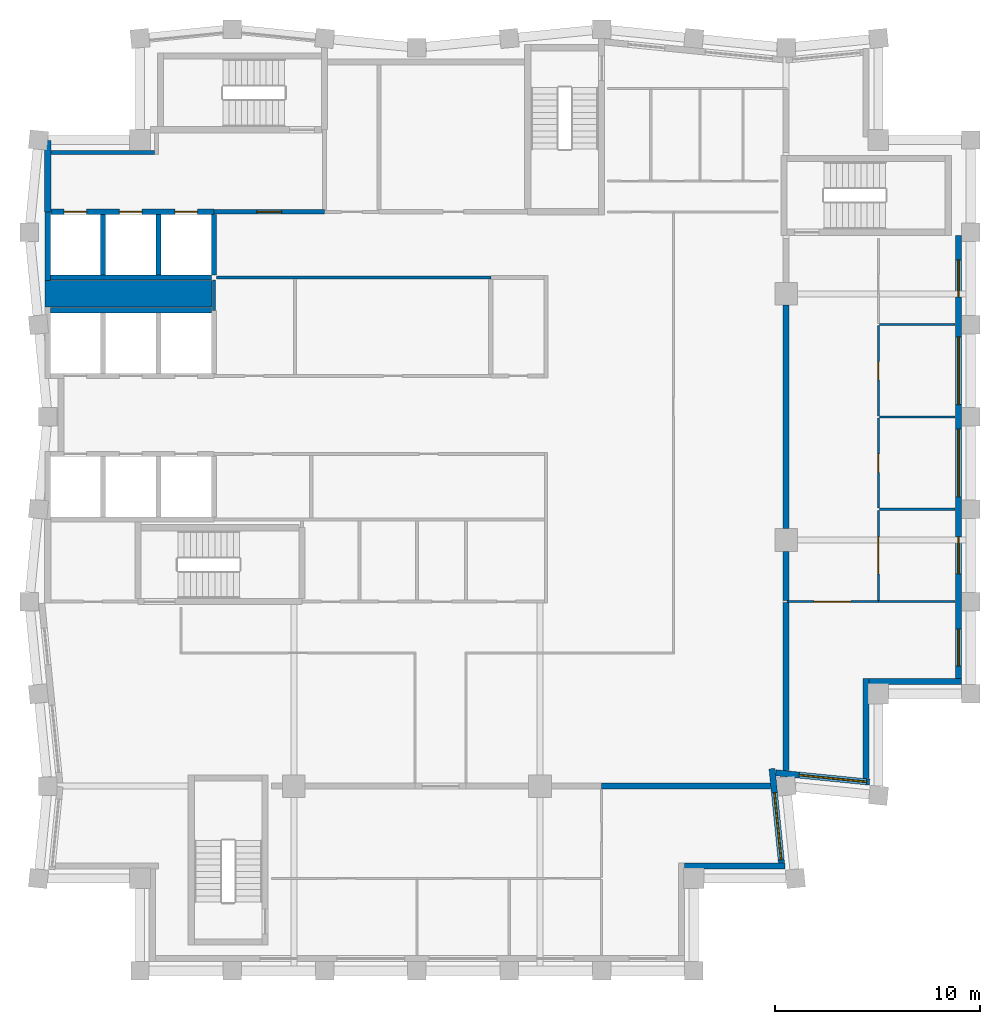
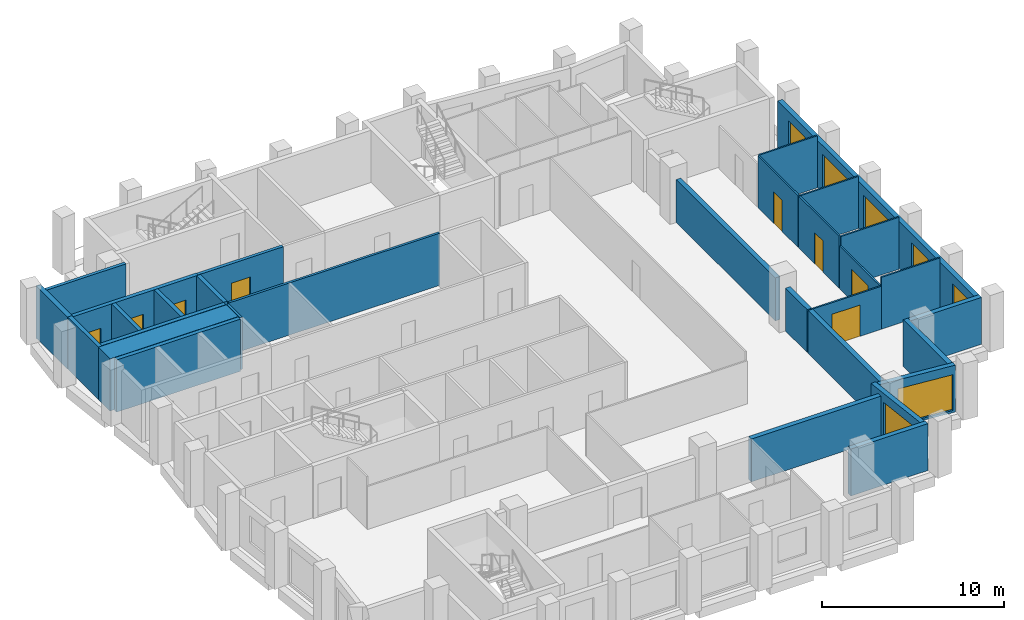
# One storey, part 4 of 7: 31 walls, 8 doors, 7 windows, 15 openings.
"""IFC4 building model written with IfcOpenShell, lengths in metres."""

from ifc_helpers import new_model, si_unit, direction, frame, frame_2d, origin, place, context, subcontext, project, spatial, rectangle, extrude, material, layer, layer_set, type_object, element, fill, save


model = new_model("IFC4")

# Units and contexts
model_context = context("Model", 3, precision=1e-05, world=origin(), true_north=direction((0.0, 1.0)))
body_context = subcontext(model_context, "Body", "Model", "MODEL_VIEW")
ifc_project = project(units=[si_unit("LENGTHUNIT", "METRE"), si_unit("AREAUNIT", "SQUARE_METRE"), si_unit("VOLUMEUNIT", "CUBIC_METRE"), si_unit("PLANEANGLEUNIT", "RADIAN"), si_unit("MASSUNIT", "GRAM", prefix="KILO")], contexts=[model_context])

# Site, building, storey
site_placement = place(None, origin())
site = spatial("IfcSite", under=ifc_project, at=site_placement, CompositionType="ELEMENT")
building_placement = place(site_placement, origin())
building = spatial("IfcBuilding", under=site, at=building_placement, Name="Brondeck Convention Tower", CompositionType="ELEMENT")
storey_placement = place(building_placement, frame((0.0, 0.0, 256.199951171875)))
storey = spatial("IfcBuildingStorey", under=building, at=storey_placement, Name="L63", CompositionType="ELEMENT", Elevation=256.199951171875)

# Walls
ifc_material_1 = material(Name="Concrete compartment wall C30/37", Category="concrete")
ifc_layer_1 = layer(ifc_material_1, 0.300048828125)
ifc_layer_set_1 = layer_set([ifc_layer_1], Name="Compartment wall 300")
wall_type_1 = type_object("IfcWallType", Name="Compartment wall 300", PredefinedType="PARTITIONING", material=ifc_layer_set_1)
wall_1_placement = place(storey_placement, frame((27.0, 27.0, 0.0), z_axis=(0.0, 0.0, 1.0), x_axis=(1.0, 0.0, 0.0)))
element("IfcWall", 1, at=wall_1_placement, inside=storey, type_object=wall_type_1, Name="FLR-L63-W018", PredefinedType="PARTITIONING", context=body_context, shape_type="SweptSolid", body=[
    extrude(rectangle(XDim=8.226318359375, YDim=0.300048828125, at=frame_2d((4.11328125, 0.0))), origin(), (0.0, 0.0, 1.0), 2.880126953125),
])
wall_2_placement = place(storey_placement, frame((36.0, 27.773681640625, 0.0), z_axis=(0.0, 0.0, 1.0), x_axis=(0.0, 1.0, 0.0)))
element("IfcWall", 2, at=wall_2_placement, inside=storey, type_object=wall_type_1, Name="FLR-L63-W021", PredefinedType="PARTITIONING", context=body_context, shape_type="SweptSolid", body=[
    extrude(rectangle(XDim=8.17626953125, YDim=0.300048828125, at=frame_2d((4.088134765625, 0.0))), origin(), (0.0, 0.0, 1.0), 2.880126953125),
])
wall_3_placement = place(storey_placement, frame((36.0, 36.050048828125, 0.0), z_axis=(0.0, 0.0, 1.0), x_axis=(0.0, 1.0, 0.0)))
element("IfcWall", 3, at=wall_3_placement, inside=storey, type_object=wall_type_1, Name="FLR-L63-W029", PredefinedType="PARTITIONING", context=body_context, shape_type="SweptSolid", body=[
    extrude(rectangle(XDim=2.39501953125, YDim=0.300048828125, at=frame_2d((1.197509765625, 0.0))), origin(), (0.0, 0.0, 1.0), 2.880126953125),
])
wall_4_placement = place(storey_placement, frame((36.0, 39.554931640625, 0.0), z_axis=(0.0, 0.0, 1.0), x_axis=(0.0, 1.0, 0.0)))
element("IfcWall", 4, at=wall_4_placement, inside=storey, type_object=wall_type_1, Name="FLR-L63-W030", PredefinedType="PARTITIONING", context=body_context, shape_type="SweptSolid", body=[
    extrude(rectangle(XDim=10.89013671875, YDim=0.300048828125, at=frame_2d((5.445068359375, 0.0))), origin(), (0.0, 0.0, 1.0), 2.880126953125),
])
ifc_material_2 = material(Name="Concrete C50/60", Category="concrete")
ifc_layer_2 = layer(ifc_material_2, 0.300048828125)
ifc_layer_set_2 = layer_set([ifc_layer_2], Name="Core outer wall 300 Concrete C50/60")
wall_type_2 = type_object("IfcWallType", Name="Core outer wall 300 Concrete C50/60", PredefinedType="SHEAR", material=ifc_layer_set_2)
wall_5_placement = place(storey_placement, frame((0.0, 55.0, 0.0), z_axis=(0.0, 0.0, 1.0), x_axis=(0.0, 1.0, 0.0)))
element("IfcWall", 5, at=wall_5_placement, inside=storey, type_object=wall_type_2, Name="L63 core wall", PredefinedType="SHEAR", context=body_context, shape_type="SweptSolid", body=[
    extrude(rectangle(XDim=3.4775390625, YDim=0.300048828125, at=frame_2d((1.73876953125, 0.0))), origin(), (0.0, 0.0, 1.0), 3.5),
])
ifc_material_3 = material(Name="Fire-rated gypsum board partition")
ifc_layer_3 = layer(ifc_material_3, 0.14990234375)
ifc_layer_set_3 = layer_set([ifc_layer_3], Name="Core partition 150 EI 60")
wall_type_3 = type_object("IfcWallType", Name="Core partition 150 EI 60", PredefinedType="PARTITIONING", material=ifc_layer_set_3)
wall_6_placement = place(storey_placement, frame((8.22509765625, 51.800048828125, 0.0), z_axis=(0.0, 0.0, 1.0), x_axis=(1.0, 0.0, 0.0)))
element("IfcWall", 6, at=wall_6_placement, inside=storey, type_object=wall_type_3, Name="L63 core wall", PredefinedType="PARTITIONING", context=body_context, shape_type="SweptSolid", body=[
    extrude(rectangle(XDim=13.375, YDim=0.14990234375, at=frame_2d((6.6875, 0.0))), origin(), (0.0, 0.0, 1.0), 3.5),
])
wall_7_placement = place(storey_placement, frame((8.10009765625, 50.199951171875, 0.0), z_axis=(0.0, 0.0, 1.0), x_axis=(0.0, 1.0, 0.0)))
element("IfcWall", 7, at=wall_7_placement, inside=storey, type_object=wall_type_3, Name="L63 core wall", PredefinedType="PARTITIONING", context=body_context, shape_type="SweptSolid", body=[
    extrude(rectangle(XDim=1.47509765625, YDim=0.14990234375, at=frame_2d((0.737548828125, 0.0))), origin(), (0.0, 0.0, 1.0), 3.5),
])
ifc_layer_4 = layer(ifc_material_2, 1.300048828125)
ifc_layer_set_4 = layer_set([ifc_layer_4], Name="Core shear wall 1300 Concrete C50/60")
wall_type_4 = type_object("IfcWallType", Name="Core shear wall 1300 Concrete C50/60", PredefinedType="SHEAR", material=ifc_layer_set_4)
wall_8_placement = place(storey_placement, frame((-0.125, 51.0, 0.0), z_axis=(0.0, 0.0, 1.0), x_axis=(1.0, 0.0, 0.0)))
element("IfcWall", 8, at=wall_8_placement, inside=storey, type_object=wall_type_4, Name="L63 core wall", PredefinedType="SHEAR", context=body_context, shape_type="SweptSolid", body=[
    extrude(rectangle(XDim=8.125, YDim=1.300048828125, at=frame_2d((4.0625, 0.0))), origin(), (0.0, 0.0, 1.0), 3.5),
])
ifc_material_4 = material(Name="Precast concrete C50/60 bronze finish", Category="concrete")
ifc_layer_5 = layer(ifc_material_4, 0.070068359375, Name="Bronze precast facing")
ifc_material_5 = material(Name="Mineral wool")
ifc_layer_6 = layer(ifc_material_5, 0.159912109375, Name="Insulation")
ifc_material_6 = material(Name="Concrete C35/45", Category="concrete")
ifc_layer_7 = layer(ifc_material_6, 0.070068359375, Name="Backing")
ifc_layer_set_5 = layer_set([ifc_layer_5, ifc_layer_6, ifc_layer_7], Name="External infill wall, precast concrete C50/60 bronze facing")
wall_type_5 = type_object("IfcWallType", Name="External infill wall, precast concrete C50/60 bronze facing", PredefinedType="SOLIDWALL", material=ifc_layer_set_5)
wall_9_placement = place(storey_placement, frame((35.952880859375, 23.10009765625, 0.0), z_axis=(0.0, 0.0, 1.0), x_axis=(-1.0, 0.0, 0.0)))
element("IfcWall", 9, at=wall_9_placement, inside=storey, type_object=wall_type_5, Name="ENV-EW-L63-P3-NC-SEB18-02", PredefinedType="SOLIDWALL", context=body_context, shape_type="SweptSolid", body=[
    extrude(rectangle(XDim=4.90283203125, YDim=0.300048828125, at=frame_2d((2.451416015625, 0.0))), origin(), (0.0, 0.0, 1.0), 3.150146484375),
])

# Wall, opening, window
wall_10_placement = place(storey_placement, frame((35.311767578125, 27.852294921875, 0.0), z_axis=(0.0, 0.0, 1.0), x_axis=(0.099503719021, -0.99503719021, 0.0)))
wall_10 = element("IfcWall", 10, at=wall_10_placement, inside=storey, type_object=wall_type_5, Name="ENV-EW-L63-P3-B-E-00", PredefinedType="SOLIDWALL", context=body_context, shape_type="SweptSolid", body=[
    extrude(rectangle(XDim=4.6201171875, YDim=0.300048828125, at=frame_2d((2.31005859375, 0.0))), origin(), (0.0, 0.0, 1.0), 3.150146484375),
])
opening_1_placement = place(wall_10_placement, frame((1.170166015625, 0.0, 0.14990234375)))
opening_1 = element("IfcOpeningElement", 11, at=opening_1_placement, cuts=wall_10, Name="Opening W9", PredefinedType="OPENING", context=body_context, shape_type="SweptSolid", body=[
    extrude(rectangle(XDim=3.300048828125, YDim=2.39990234375, at=frame_2d((1.64990234375, 1.199951171875))), frame((0.0, 0.159912109375, 0.0), z_axis=(0.0, -1.0, 0.0), x_axis=(1.0, 0.0, 0.0)), (0.0, 0.0, 1.0), 0.320068359375),
])
ifc_material_7 = material(Name="Bronze tinted double glazing", Category="glass")
window_type_1 = type_object("IfcWindowType", Name="Glazed flute window, bronze tinted", PartitioningType="SINGLE_PANEL", PredefinedType="WINDOW", material=ifc_material_7)
window_1_placement = place(opening_1_placement, origin())
window_1 = element("IfcWindow", 12, at=window_1_placement, inside=storey, type_object=window_type_1, Name="ENV-WN-L63-P3-B-E-00", OverallHeight=2.39990234375, OverallWidth=3.300048828125, PartitioningType="SINGLE_PANEL", PredefinedType="WINDOW", context=body_context, shape_type="SweptSolid", body=[
    extrude(rectangle(XDim=3.300048828125, YDim=2.39990234375, at=frame_2d((1.64990234375, 1.199951171875))), frame((0.0, 0.030029296875, 0.0), z_axis=(0.0, -1.0, 0.0), x_axis=(1.0, 0.0, 0.0)), (0.0, 0.0, 1.0), 0.06005859375),
])
fill(opening_1, window_1)

wall_11_placement = place(storey_placement, frame((40.06494140625, 27.196533203125, 0.0), z_axis=(0.0, 0.0, 1.0), x_axis=(-0.995036663613, 0.099508984853, 0.0)))
wall_11 = element("IfcWall", 13, at=wall_11_placement, inside=storey, type_object=wall_type_5, Name="ENV-EW-L63-P3-A-S-00", PredefinedType="SOLIDWALL", context=body_context, shape_type="SweptSolid", body=[
    extrude(rectangle(XDim=4.59033203125, YDim=0.300048828125, at=frame_2d((2.295166015625, 0.0))), origin(), (0.0, 0.0, 1.0), 3.150146484375),
])
opening_2_placement = place(wall_11_placement, frame((0.14990234375, 0.0, 0.14990234375)))
opening_2 = element("IfcOpeningElement", 14, at=opening_2_placement, cuts=wall_11, Name="Opening W9", PredefinedType="OPENING", context=body_context, shape_type="SweptSolid", body=[
    extrude(rectangle(XDim=3.300048828125, YDim=2.39990234375, at=frame_2d((1.64990234375, 1.199951171875))), frame((0.0, 0.159912109375, 0.0), z_axis=(0.0, -1.0, 0.0), x_axis=(1.0, 0.0, 0.0)), (0.0, 0.0, 1.0), 0.320068359375),
])
window_2_placement = place(opening_2_placement, origin())
window_2 = element("IfcWindow", 15, at=window_2_placement, inside=storey, type_object=window_type_1, Name="ENV-WN-L63-P3-A-S-00", OverallHeight=2.39990234375, OverallWidth=3.300048828125, PartitioningType="SINGLE_PANEL", PredefinedType="WINDOW", context=body_context, shape_type="SweptSolid", body=[
    extrude(rectangle(XDim=3.300048828125, YDim=2.39990234375, at=frame_2d((1.64990234375, 1.199951171875))), frame((0.0, 0.030029296875, 0.0), z_axis=(0.0, -1.0, 0.0), x_axis=(1.0, 0.0, 0.0)), (0.0, 0.0, 1.0), 0.06005859375),
])
fill(opening_2, window_2)

# Walls
wall_12_placement = place(storey_placement, frame((39.89990234375, 32.25, 0.0), z_axis=(0.0, 0.0, 1.0), x_axis=(0.0, -1.0, 0.0)))
element("IfcWall", 16, at=wall_12_placement, inside=storey, type_object=wall_type_5, Name="ENV-EW-L63-P3-NC-SEA45-01", PredefinedType="SOLIDWALL", context=body_context, shape_type="SweptSolid", body=[
    extrude(rectangle(XDim=4.881103515625, YDim=0.300048828125, at=frame_2d((2.4404296875, 0.0))), origin(), (0.0, 0.0, 1.0), 3.150146484375),
])
wall_13_placement = place(storey_placement, frame((44.550048828125, 32.10009765625, 0.0), z_axis=(0.0, 0.0, 1.0), x_axis=(-1.0, 0.0, 0.0)))
element("IfcWall", 17, at=wall_13_placement, inside=storey, type_object=wall_type_5, Name="ENV-EW-L63-P3-NC-SEA45-02", PredefinedType="SOLIDWALL", context=body_context, shape_type="SweptSolid", body=[
    extrude(rectangle(XDim=4.501953125, YDim=0.300048828125, at=frame_2d((2.2509765625, 0.0))), origin(), (0.0, 0.0, 1.0), 3.150146484375),
])

# Wall, openings, windows
wall_14_placement = place(storey_placement, frame((44.39990234375, 53.85009765625, 0.0), z_axis=(0.0, 0.0, 1.0), x_axis=(0.0, -1.0, 0.0)))
wall_14 = element("IfcWall", 18, at=wall_14_placement, inside=storey, type_object=wall_type_5, Name="ENV-EW-L63-P3-A-E45-01", PredefinedType="SOLIDWALL", context=body_context, shape_type="SweptSolid", body=[
    extrude(rectangle(XDim=21.60205078125, YDim=0.300048828125, at=frame_2d((10.801025390625, 0.0))), origin(), (0.0, 0.0, 1.0), 3.150146484375),
])
opening_3_placement = place(wall_14_placement, frame((1.199951171875, 0.0, 0.75)))
opening_3 = element("IfcOpeningElement", 19, at=opening_3_placement, cuts=wall_14, Name="Opening W10", PredefinedType="OPENING", context=body_context, shape_type="SweptSolid", body=[
    extrude(rectangle(XDim=1.800048828125, YDim=1.800048828125, at=frame_2d((0.89990234375, 0.89990234375))), frame((0.0, 0.159912109375, 0.0), z_axis=(0.0, -1.0, 0.0), x_axis=(1.0, 0.0, 0.0)), (0.0, 0.0, 1.0), 0.320068359375),
])
opening_4_placement = place(wall_14_placement, frame((4.949951171875, 0.0, 0.14990234375)))
opening_4 = element("IfcOpeningElement", 20, at=opening_4_placement, cuts=wall_14, Name="Opening W9", PredefinedType="OPENING", context=body_context, shape_type="SweptSolid", body=[
    extrude(rectangle(XDim=3.300048828125, YDim=2.39990234375, at=frame_2d((1.64990234375, 1.199951171875))), frame((0.0, 0.159912109375, 0.0), z_axis=(0.0, -1.0, 0.0), x_axis=(1.0, 0.0, 0.0)), (0.0, 0.0, 1.0), 0.320068359375),
])
opening_5_placement = place(wall_14_placement, frame((9.449951171875, 0.0, 0.14990234375)))
opening_5 = element("IfcOpeningElement", 21, at=opening_5_placement, cuts=wall_14, Name="Opening W9", PredefinedType="OPENING", context=body_context, shape_type="SweptSolid", body=[
    extrude(rectangle(XDim=3.300048828125, YDim=2.39990234375, at=frame_2d((1.64990234375, 1.199951171875))), frame((0.0, 0.159912109375, 0.0), z_axis=(0.0, -1.0, 0.0), x_axis=(1.0, 0.0, 0.0)), (0.0, 0.0, 1.0), 0.320068359375),
])
opening_6_placement = place(wall_14_placement, frame((14.699951171875, 0.0, 0.75)))
opening_6 = element("IfcOpeningElement", 22, at=opening_6_placement, cuts=wall_14, Name="Opening W10", PredefinedType="OPENING", context=body_context, shape_type="SweptSolid", body=[
    extrude(rectangle(XDim=1.800048828125, YDim=1.800048828125, at=frame_2d((0.89990234375, 0.89990234375))), frame((0.0, 0.159912109375, 0.0), z_axis=(0.0, -1.0, 0.0), x_axis=(1.0, 0.0, 0.0)), (0.0, 0.0, 1.0), 0.320068359375),
])
opening_7_placement = place(wall_14_placement, frame((19.199951171875, 0.0, 0.75)))
opening_7 = element("IfcOpeningElement", 23, at=opening_7_placement, cuts=wall_14, Name="Opening W10", PredefinedType="OPENING", context=body_context, shape_type="SweptSolid", body=[
    extrude(rectangle(XDim=1.800048828125, YDim=1.800048828125, at=frame_2d((0.89990234375, 0.89990234375))), frame((0.0, 0.159912109375, 0.0), z_axis=(0.0, -1.0, 0.0), x_axis=(1.0, 0.0, 0.0)), (0.0, 0.0, 1.0), 0.320068359375),
])
window_3_placement = place(opening_4_placement, origin())
window_3 = element("IfcWindow", 24, at=window_3_placement, inside=storey, type_object=window_type_1, Name="ENV-WN-L63-P3-A-E45-04", OverallHeight=2.39990234375, OverallWidth=3.300048828125, PartitioningType="SINGLE_PANEL", PredefinedType="WINDOW", context=body_context, shape_type="SweptSolid", body=[
    extrude(rectangle(XDim=3.300048828125, YDim=2.39990234375, at=frame_2d((1.64990234375, 1.199951171875))), frame((0.0, 0.030029296875, 0.0), z_axis=(0.0, -1.0, 0.0), x_axis=(1.0, 0.0, 0.0)), (0.0, 0.0, 1.0), 0.06005859375),
])
fill(opening_4, window_3)
window_4_placement = place(opening_5_placement, origin())
window_4 = element("IfcWindow", 25, at=window_4_placement, inside=storey, type_object=window_type_1, Name="ENV-WN-L63-P3-A-E45-03", OverallHeight=2.39990234375, OverallWidth=3.300048828125, PartitioningType="SINGLE_PANEL", PredefinedType="WINDOW", context=body_context, shape_type="SweptSolid", body=[
    extrude(rectangle(XDim=3.300048828125, YDim=2.39990234375, at=frame_2d((1.64990234375, 1.199951171875))), frame((0.0, 0.030029296875, 0.0), z_axis=(0.0, -1.0, 0.0), x_axis=(1.0, 0.0, 0.0)), (0.0, 0.0, 1.0), 0.06005859375),
])
fill(opening_5, window_4)
window_type_2 = type_object("IfcWindowType", Name="Punched window, bronze tinted", PartitioningType="SINGLE_PANEL", PredefinedType="WINDOW", material=ifc_material_7)
window_5_placement = place(opening_3_placement, origin())
window_5 = element("IfcWindow", 26, at=window_5_placement, inside=storey, type_object=window_type_2, Name="ENV-WN-L63-P3-A-E45-05", OverallHeight=1.800048828125, OverallWidth=1.800048828125, PartitioningType="SINGLE_PANEL", PredefinedType="WINDOW", context=body_context, shape_type="SweptSolid", body=[
    extrude(rectangle(XDim=1.800048828125, YDim=1.800048828125, at=frame_2d((0.89990234375, 0.89990234375))), frame((0.0, 0.030029296875, 0.0), z_axis=(0.0, -1.0, 0.0), x_axis=(1.0, 0.0, 0.0)), (0.0, 0.0, 1.0), 0.06005859375),
])
fill(opening_3, window_5)
window_6_placement = place(opening_6_placement, origin())
window_6 = element("IfcWindow", 27, at=window_6_placement, inside=storey, type_object=window_type_2, Name="ENV-WN-L63-P3-A-E45-02", OverallHeight=1.800048828125, OverallWidth=1.800048828125, PartitioningType="SINGLE_PANEL", PredefinedType="WINDOW", context=body_context, shape_type="SweptSolid", body=[
    extrude(rectangle(XDim=1.800048828125, YDim=1.800048828125, at=frame_2d((0.89990234375, 0.89990234375))), frame((0.0, 0.030029296875, 0.0), z_axis=(0.0, -1.0, 0.0), x_axis=(1.0, 0.0, 0.0)), (0.0, 0.0, 1.0), 0.06005859375),
])
fill(opening_6, window_6)
window_7_placement = place(opening_7_placement, origin())
window_7 = element("IfcWindow", 28, at=window_7_placement, inside=storey, type_object=window_type_2, Name="ENV-WN-L63-P3-A-E45-01", OverallHeight=1.800048828125, OverallWidth=1.800048828125, PartitioningType="SINGLE_PANEL", PredefinedType="WINDOW", context=body_context, shape_type="SweptSolid", body=[
    extrude(rectangle(XDim=1.800048828125, YDim=1.800048828125, at=frame_2d((0.89990234375, 0.89990234375))), frame((0.0, 0.030029296875, 0.0), z_axis=(0.0, -1.0, 0.0), x_axis=(1.0, 0.0, 0.0)), (0.0, 0.0, 1.0), 0.06005859375),
])
fill(opening_7, window_7)

# Wall, opening, door
ifc_layer_8 = layer(ifc_material_3, 0.199951171875)
ifc_layer_set_6 = layer_set([ifc_layer_8], Name="Firefighting lobby wall 200 EI 120")
wall_type_6 = type_object("IfcWallType", Name="Firefighting lobby wall 200 EI 120", PredefinedType="PARTITIONING", material=ifc_layer_set_6)
wall_15_placement = place(storey_placement, frame((8.10009765625, 55.0, 0.0), z_axis=(0.0, 0.0, 1.0), x_axis=(1.0, 0.0, 0.0)))
wall_15 = element("IfcWall", 29, at=wall_15_placement, inside=storey, type_object=wall_type_6, Name="L63 core wall", PredefinedType="PARTITIONING", context=body_context, shape_type="SweptSolid", body=[
    extrude(rectangle(XDim=5.39990234375, YDim=0.199951171875, at=frame_2d((2.699951171875, 0.0))), origin(), (0.0, 0.0, 1.0), 3.5),
])
opening_8_placement = place(wall_15_placement, frame((2.10009765625, 0.0, 0.0)))
opening_8 = element("IfcOpeningElement", 30, at=opening_8_placement, cuts=wall_15, Name="Opening C35-01", PredefinedType="OPENING", context=body_context, shape_type="SweptSolid", body=[
    extrude(rectangle(XDim=1.199951171875, YDim=2.199951171875, at=frame_2d((0.60009765625, 1.10009765625))), frame((0.0, 0.10986328125, 0.0), z_axis=(0.0, -1.0, 0.0), x_axis=(1.0, 0.0, 0.0)), (0.0, 0.0, 1.0), 0.219970703125),
])
ifc_material_8 = material(Name="Steel fire door", Category="steel")
door_type_1 = type_object("IfcDoorType", Name="Firefighting lobby door 1200x2200 EI 120", OperationType="NOTDEFINED", PredefinedType="DOOR", material=ifc_material_8)
door_1_placement = place(opening_8_placement, origin())
door_1 = element("IfcDoor", 31, at=door_1_placement, inside=storey, type_object=door_type_1, Name="L63 Firefighting lobby door FFL-1", OperationType="SINGLE_SWING_RIGHT", OverallHeight=2.199951171875, OverallWidth=1.199951171875, PredefinedType="DOOR", context=body_context, shape_type="SweptSolid", body=[
    extrude(rectangle(XDim=1.199951171875, YDim=2.199951171875, at=frame_2d((0.60009765625, 1.10009765625))), frame((0.0, 0.02490234375, 0.0), z_axis=(0.0, -1.0, 0.0), x_axis=(1.0, 0.0, 0.0)), (0.0, 0.0, 1.0), 0.050048828125),
])
fill(opening_8, door_1)

# Walls
wall_16_placement = place(storey_placement, frame((0.14990234375, 57.89990234375, 0.0), z_axis=(0.0, 0.0, 1.0), x_axis=(1.0, 0.0, 0.0)))
element("IfcWall", 32, at=wall_16_placement, inside=storey, type_object=wall_type_6, Name="L63 core wall", PredefinedType="PARTITIONING", context=body_context, shape_type="SweptSolid", body=[
    extrude(rectangle(XDim=5.050048828125, YDim=0.199951171875, at=frame_2d((2.52490234375, 0.0))), origin(), (0.0, 0.0, 1.0), 3.5),
])
ifc_layer_9 = layer(ifc_material_2, 0.25)
ifc_layer_set_7 = layer_set([ifc_layer_9], Name="Lift shaft wall 250 Concrete C50/60")
wall_type_7 = type_object("IfcWallType", Name="Lift shaft wall 250 Concrete C50/60", PredefinedType="SHEAR", material=ifc_layer_set_7)
for number, where, z_axis, x_axis, name in (
    (33, (0.125, 50.199951171875, 0.0), (0.0, 0.0, 1.0), (1.0, 0.0, 0.0), "L63 core wall"),
    (34, (0.125, 51.800048828125, 0.0), (0.0, 0.0, 1.0), (1.0, 0.0, 0.0), "L63 core wall"),
):
    element("IfcWall", number, at=place(storey_placement, frame(where, z_axis=z_axis, x_axis=x_axis)), inside=storey, type_object=wall_type_7, Name=name, PredefinedType="SHEAR", context=body_context, shape_type="SweptSolid", body=[
        extrude(rectangle(XDim=7.85009765625, YDim=0.25, at=frame_2d((3.925048828125, 0.0))), origin(), (0.0, 0.0, 1.0), 3.5),
    ])

# Wall, openings, doors
wall_17_placement = place(storey_placement, frame((0.14990234375, 55.0, 0.0), z_axis=(0.0, 0.0, 1.0), x_axis=(1.0, 0.0, 0.0)))
wall_17 = element("IfcWall", 35, at=wall_17_placement, inside=storey, type_object=wall_type_7, Name="L63 core wall", PredefinedType="SHEAR", context=body_context, shape_type="SweptSolid", body=[
    extrude(rectangle(XDim=7.9501953125, YDim=0.25, at=frame_2d((3.97509765625, 0.0))), origin(), (0.0, 0.0, 1.0), 3.5),
])
opening_9_placement = place(wall_17_placement, frame((0.64990234375, 0.0, 0.0)))
opening_9 = element("IfcOpeningElement", 36, at=opening_9_placement, cuts=wall_17, Name="Opening C35-19", PredefinedType="OPENING", context=body_context, shape_type="SweptSolid", body=[
    extrude(rectangle(XDim=1.10009765625, YDim=2.10009765625, at=frame_2d((0.550048828125, 1.050048828125))), frame((0.0, 0.135009765625, 0.0), z_axis=(0.0, -1.0, 0.0), x_axis=(1.0, 0.0, 0.0)), (0.0, 0.0, 1.0), 0.27001953125),
])
opening_10_placement = place(wall_17_placement, frame((3.35009765625, 0.0, 0.0)))
opening_10 = element("IfcOpeningElement", 37, at=opening_10_placement, cuts=wall_17, Name="Opening C35-20", PredefinedType="OPENING", context=body_context, shape_type="SweptSolid", body=[
    extrude(rectangle(XDim=1.10009765625, YDim=2.10009765625, at=frame_2d((0.550048828125, 1.050048828125))), frame((0.0, 0.135009765625, 0.0), z_axis=(0.0, -1.0, 0.0), x_axis=(1.0, 0.0, 0.0)), (0.0, 0.0, 1.0), 0.27001953125),
])
opening_11_placement = place(wall_17_placement, frame((6.050048828125, 0.0, 0.0)))
opening_11 = element("IfcOpeningElement", 38, at=opening_11_placement, cuts=wall_17, Name="Opening C35-21", PredefinedType="OPENING", context=body_context, shape_type="SweptSolid", body=[
    extrude(rectangle(XDim=1.10009765625, YDim=2.10009765625, at=frame_2d((0.550048828125, 1.050048828125))), frame((0.0, 0.135009765625, 0.0), z_axis=(0.0, -1.0, 0.0), x_axis=(1.0, 0.0, 0.0)), (0.0, 0.0, 1.0), 0.27001953125),
])
ifc_material_9 = material(Name="Stainless steel lift door", Category="steel")
door_type_2 = type_object("IfcDoorType", Name="Lift landing door 1100x2100 EI 180", OperationType="DOUBLE_DOOR_SLIDING", PredefinedType="DOOR", material=ifc_material_9)
door_2_placement = place(opening_9_placement, origin())
door_2 = element("IfcDoor", 39, at=door_2_placement, inside=storey, type_object=door_type_2, Name="L63 Lift landing door FF1", OperationType="DOUBLE_DOOR_SLIDING", OverallHeight=2.10009765625, OverallWidth=1.10009765625, PredefinedType="DOOR", context=body_context, shape_type="SweptSolid", body=[
    extrude(rectangle(XDim=1.10009765625, YDim=2.10009765625, at=frame_2d((0.550048828125, 1.050048828125))), frame((0.0, 0.02490234375, 0.0), z_axis=(0.0, -1.0, 0.0), x_axis=(1.0, 0.0, 0.0)), (0.0, 0.0, 1.0), 0.050048828125),
])
fill(opening_9, door_2)
door_3_placement = place(opening_10_placement, origin())
door_3 = element("IfcDoor", 40, at=door_3_placement, inside=storey, type_object=door_type_2, Name="L63 Lift landing door FF2", OperationType="DOUBLE_DOOR_SLIDING", OverallHeight=2.10009765625, OverallWidth=1.10009765625, PredefinedType="DOOR", context=body_context, shape_type="SweptSolid", body=[
    extrude(rectangle(XDim=1.10009765625, YDim=2.10009765625, at=frame_2d((0.550048828125, 1.050048828125))), frame((0.0, 0.02490234375, 0.0), z_axis=(0.0, -1.0, 0.0), x_axis=(1.0, 0.0, 0.0)), (0.0, 0.0, 1.0), 0.050048828125),
])
fill(opening_10, door_3)
door_4_placement = place(opening_11_placement, origin())
door_4 = element("IfcDoor", 41, at=door_4_placement, inside=storey, type_object=door_type_2, Name="L63 Lift landing door FF3", OperationType="DOUBLE_DOOR_SLIDING", OverallHeight=2.10009765625, OverallWidth=1.10009765625, PredefinedType="DOOR", context=body_context, shape_type="SweptSolid", body=[
    extrude(rectangle(XDim=1.10009765625, YDim=2.10009765625, at=frame_2d((0.550048828125, 1.050048828125))), frame((0.0, 0.02490234375, 0.0), z_axis=(0.0, -1.0, 0.0), x_axis=(1.0, 0.0, 0.0)), (0.0, 0.0, 1.0), 0.050048828125),
])
fill(opening_11, door_4)

# Walls
wall_18_placement = place(storey_placement, frame((0.0, 51.64990234375, 0.0), z_axis=(0.0, 0.0, 1.0), x_axis=(0.0, 1.0, 0.0)))
element("IfcWall", 42, at=wall_18_placement, inside=storey, type_object=wall_type_7, Name="L63 core wall", PredefinedType="SHEAR", context=body_context, shape_type="SweptSolid", body=[
    extrude(rectangle(XDim=3.35009765625, YDim=0.25, at=frame_2d((1.675048828125, 0.0))), origin(), (0.0, 0.0, 1.0), 3.5),
])
for number, where, z_axis, x_axis, name in (
    (43, (2.699951171875, 51.925048828125, 0.0), (0.0, 0.0, 1.0), (0.0, 1.0, 0.0), "L63 core wall"),
    (44, (5.39990234375, 51.925048828125, 0.0), (0.0, 0.0, 1.0), (0.0, 1.0, 0.0), "L63 core wall"),
    (45, (8.10009765625, 51.925048828125, 0.0), (0.0, 0.0, 1.0), (0.0, 1.0, 0.0), "L63 core wall"),
):
    element("IfcWall", number, at=place(storey_placement, frame(where, z_axis=z_axis, x_axis=x_axis)), inside=storey, type_object=wall_type_7, Name=name, PredefinedType="SHEAR", context=body_context, shape_type="SweptSolid", body=[
        extrude(rectangle(XDim=2.949951171875, YDim=0.25, at=frame_2d((1.47509765625, 0.0))), origin(), (0.0, 0.0, 1.0), 3.5),
    ])

# Wall, opening, door
ifc_material_10 = material(Name="Gypsum board partition on steel studs", Category="steel")
ifc_layer_10 = layer(ifc_material_10, 0.10009765625)
ifc_layer_set_8 = layer_set([ifc_layer_10], Name="Room partition 100")
wall_type_8 = type_object("IfcWallType", Name="Room partition 100", PredefinedType="PARTITIONING", material=ifc_layer_set_8)
wall_19_placement = place(storey_placement, frame((40.5, 36.0, 0.0), z_axis=(0.0, 0.0, 1.0), x_axis=(-1.0, 0.0, 0.0)))
wall_19 = element("IfcWall", 46, at=wall_19_placement, inside=storey, type_object=wall_type_8, Name="FLR-L63-W027", PredefinedType="PARTITIONING", context=body_context, shape_type="SweptSolid", body=[
    extrude(rectangle(XDim=4.449951171875, YDim=0.10009765625, at=frame_2d((2.22509765625, 0.0))), origin(), (0.0, 0.0, 1.0), 2.880126953125),
])
opening_12_placement = place(wall_19_placement, frame((1.35009765625, 0.0, 0.0)))
opening_12 = element("IfcOpeningElement", 47, at=opening_12_placement, cuts=wall_19, Name="Opening EX-A2-005", PredefinedType="OPENING", context=body_context, shape_type="SweptSolid", body=[
    extrude(rectangle(XDim=1.800048828125, YDim=2.10009765625, at=frame_2d((0.89990234375, 1.050048828125))), frame((0.0, 0.06005859375, 0.0), z_axis=(0.0, -1.0, 0.0), x_axis=(1.0, 0.0, 0.0)), (0.0, 0.0, 1.0), 0.1201171875),
])
ifc_material_11 = material(Name="Glazed timber double door", Category="wood")
door_type_3 = type_object("IfcDoorType", Name="Double door 1800", OperationType="DOUBLE_DOOR_SINGLE_SWING", PredefinedType="DOOR", material=ifc_material_11)
door_5_placement = place(opening_12_placement, origin())
door_5 = element("IfcDoor", 48, at=door_5_placement, inside=storey, type_object=door_type_3, Name="Door EX-A2-005", OperationType="DOUBLE_DOOR_SINGLE_SWING", OverallHeight=2.10009765625, OverallWidth=1.800048828125, PredefinedType="DOOR", context=body_context, shape_type="SweptSolid", body=[
    extrude(rectangle(XDim=1.800048828125, YDim=2.10009765625, at=frame_2d((0.89990234375, 1.050048828125))), frame((0.0, 0.02490234375, 0.0), z_axis=(0.0, -1.0, 0.0), x_axis=(1.0, 0.0, 0.0)), (0.0, 0.0, 1.0), 0.050048828125),
])
fill(opening_12, door_5)

# Wall
wall_20_placement = place(storey_placement, frame((44.22998046875, 36.0, 0.0), z_axis=(0.0, 0.0, 1.0), x_axis=(-1.0, 0.0, 0.0)))
element("IfcWall", 49, at=wall_20_placement, inside=storey, type_object=wall_type_8, Name="FLR-L63-W028", PredefinedType="PARTITIONING", context=body_context, shape_type="SweptSolid", body=[
    extrude(rectangle(XDim=3.72998046875, YDim=0.10009765625, at=frame_2d((1.864990234375, 0.0))), origin(), (0.0, 0.0, 1.0), 3.47998046875),
])

# Wall, opening, door
wall_21_placement = place(storey_placement, frame((40.5, 40.449951171875, 0.0), z_axis=(0.0, 0.0, 1.0), x_axis=(0.0, -1.0, 0.0)))
wall_21 = element("IfcWall", 50, at=wall_21_placement, inside=storey, type_object=wall_type_8, Name="FLR-L63-W031", PredefinedType="PARTITIONING", context=body_context, shape_type="SweptSolid", body=[
    extrude(rectangle(XDim=4.39990234375, YDim=0.10009765625, at=frame_2d((2.199951171875, 0.0))), origin(), (0.0, 0.0, 1.0), 2.880126953125),
])
opening_13_placement = place(wall_21_placement, frame((1.300048828125, 0.0, 0.0)))
opening_13 = element("IfcOpeningElement", 51, at=opening_13_placement, cuts=wall_21, Name="Opening EX-A2-001", PredefinedType="OPENING", context=body_context, shape_type="SweptSolid", body=[
    extrude(rectangle(XDim=1.800048828125, YDim=2.10009765625, at=frame_2d((0.89990234375, 1.050048828125))), frame((0.0, 0.06005859375, 0.0), z_axis=(0.0, -1.0, 0.0), x_axis=(1.0, 0.0, 0.0)), (0.0, 0.0, 1.0), 0.1201171875),
])
door_6_placement = place(opening_13_placement, origin())
door_6 = element("IfcDoor", 52, at=door_6_placement, inside=storey, type_object=door_type_3, Name="Door EX-A2-001", OperationType="DOUBLE_DOOR_SINGLE_SWING", OverallHeight=2.10009765625, OverallWidth=1.800048828125, PredefinedType="DOOR", context=body_context, shape_type="SweptSolid", body=[
    extrude(rectangle(XDim=1.800048828125, YDim=2.10009765625, at=frame_2d((0.89990234375, 1.050048828125))), frame((0.0, 0.02490234375, 0.0), z_axis=(0.0, -1.0, 0.0), x_axis=(1.0, 0.0, 0.0)), (0.0, 0.0, 1.0), 0.050048828125),
])
fill(opening_13, door_6)

# Wall
wall_22_placement = place(storey_placement, frame((40.550048828125, 40.5, 0.0), z_axis=(0.0, 0.0, 1.0), x_axis=(1.0, 0.0, 0.0)))
element("IfcWall", 53, at=wall_22_placement, inside=storey, type_object=wall_type_8, Name="FLR-L63-W032", PredefinedType="PARTITIONING", context=body_context, shape_type="SweptSolid", body=[
    extrude(rectangle(XDim=3.679931640625, YDim=0.10009765625, at=frame_2d((1.83984375, 0.0))), origin(), (0.0, 0.0, 1.0), 3.47998046875),
])

# Wall, opening, door
wall_23_placement = place(storey_placement, frame((40.5, 44.949951171875, 0.0), z_axis=(0.0, 0.0, 1.0), x_axis=(0.0, -1.0, 0.0)))
wall_23 = element("IfcWall", 54, at=wall_23_placement, inside=storey, type_object=wall_type_8, Name="FLR-L63-W033", PredefinedType="PARTITIONING", context=body_context, shape_type="SweptSolid", body=[
    extrude(rectangle(XDim=4.39990234375, YDim=0.10009765625, at=frame_2d((2.199951171875, 0.0))), origin(), (0.0, 0.0, 1.0), 3.47998046875),
])
opening_14_placement = place(wall_23_placement, frame((1.75, 0.0, 0.0)))
opening_14 = element("IfcOpeningElement", 55, at=opening_14_placement, cuts=wall_23, Name="Opening EX-A2-002", PredefinedType="OPENING", context=body_context, shape_type="SweptSolid", body=[
    extrude(rectangle(XDim=0.89990234375, YDim=2.10009765625, at=frame_2d((0.449951171875, 1.050048828125))), frame((0.0, 0.06005859375, 0.0), z_axis=(0.0, -1.0, 0.0), x_axis=(1.0, 0.0, 0.0)), (0.0, 0.0, 1.0), 0.1201171875),
])
ifc_material_12 = material(Name="Solid timber door leaf", Category="wood")
door_type_4 = type_object("IfcDoorType", Name="Single door 900", OperationType="NOTDEFINED", PredefinedType="DOOR", material=ifc_material_12)
door_7_placement = place(opening_14_placement, origin())
door_7 = element("IfcDoor", 56, at=door_7_placement, inside=storey, type_object=door_type_4, Name="Door EX-A2-002", OperationType="SINGLE_SWING_LEFT", OverallHeight=2.10009765625, OverallWidth=0.89990234375, PredefinedType="DOOR", context=body_context, shape_type="SweptSolid", body=[
    extrude(rectangle(XDim=0.89990234375, YDim=2.10009765625, at=frame_2d((0.449951171875, 1.050048828125))), frame((0.0, 0.02490234375, 0.0), z_axis=(0.0, -1.0, 0.0), x_axis=(1.0, 0.0, 0.0)), (0.0, 0.0, 1.0), 0.050048828125),
])
fill(opening_14, door_7)

# Wall
wall_24_placement = place(storey_placement, frame((40.550048828125, 45.0, 0.0), z_axis=(0.0, 0.0, 1.0), x_axis=(1.0, 0.0, 0.0)))
element("IfcWall", 57, at=wall_24_placement, inside=storey, type_object=wall_type_8, Name="FLR-L63-W034", PredefinedType="PARTITIONING", context=body_context, shape_type="SweptSolid", body=[
    extrude(rectangle(XDim=3.679931640625, YDim=0.10009765625, at=frame_2d((1.83984375, 0.0))), origin(), (0.0, 0.0, 1.0), 3.47998046875),
])

# Wall, opening, door
wall_25_placement = place(storey_placement, frame((40.5, 49.449951171875, 0.0), z_axis=(0.0, 0.0, 1.0), x_axis=(0.0, -1.0, 0.0)))
wall_25 = element("IfcWall", 58, at=wall_25_placement, inside=storey, type_object=wall_type_8, Name="FLR-L63-W035", PredefinedType="PARTITIONING", context=body_context, shape_type="SweptSolid", body=[
    extrude(rectangle(XDim=4.39990234375, YDim=0.10009765625, at=frame_2d((2.199951171875, 0.0))), origin(), (0.0, 0.0, 1.0), 3.47998046875),
])
opening_15_placement = place(wall_25_placement, frame((1.75, 0.0, 0.0)))
opening_15 = element("IfcOpeningElement", 59, at=opening_15_placement, cuts=wall_25, Name="Opening EX-A2-003", PredefinedType="OPENING", context=body_context, shape_type="SweptSolid", body=[
    extrude(rectangle(XDim=0.89990234375, YDim=2.10009765625, at=frame_2d((0.449951171875, 1.050048828125))), frame((0.0, 0.06005859375, 0.0), z_axis=(0.0, -1.0, 0.0), x_axis=(1.0, 0.0, 0.0)), (0.0, 0.0, 1.0), 0.1201171875),
])
door_8_placement = place(opening_15_placement, origin())
door_8 = element("IfcDoor", 60, at=door_8_placement, inside=storey, type_object=door_type_4, Name="Door EX-A2-003", OperationType="SINGLE_SWING_LEFT", OverallHeight=2.10009765625, OverallWidth=0.89990234375, PredefinedType="DOOR", context=body_context, shape_type="SweptSolid", body=[
    extrude(rectangle(XDim=0.89990234375, YDim=2.10009765625, at=frame_2d((0.449951171875, 1.050048828125))), frame((0.0, 0.02490234375, 0.0), z_axis=(0.0, -1.0, 0.0), x_axis=(1.0, 0.0, 0.0)), (0.0, 0.0, 1.0), 0.050048828125),
])
fill(opening_15, door_8)

# Wall
wall_26_placement = place(storey_placement, frame((40.550048828125, 49.5, 0.0), z_axis=(0.0, 0.0, 1.0), x_axis=(1.0, 0.0, 0.0)))
element("IfcWall", 61, at=wall_26_placement, inside=storey, type_object=wall_type_8, Name="FLR-L63-W036", PredefinedType="PARTITIONING", context=body_context, shape_type="SweptSolid", body=[
    extrude(rectangle(XDim=3.679931640625, YDim=0.10009765625, at=frame_2d((1.83984375, 0.0))), origin(), (0.0, 0.0, 1.0), 3.47998046875),
])

save(model, "model.ifc")
